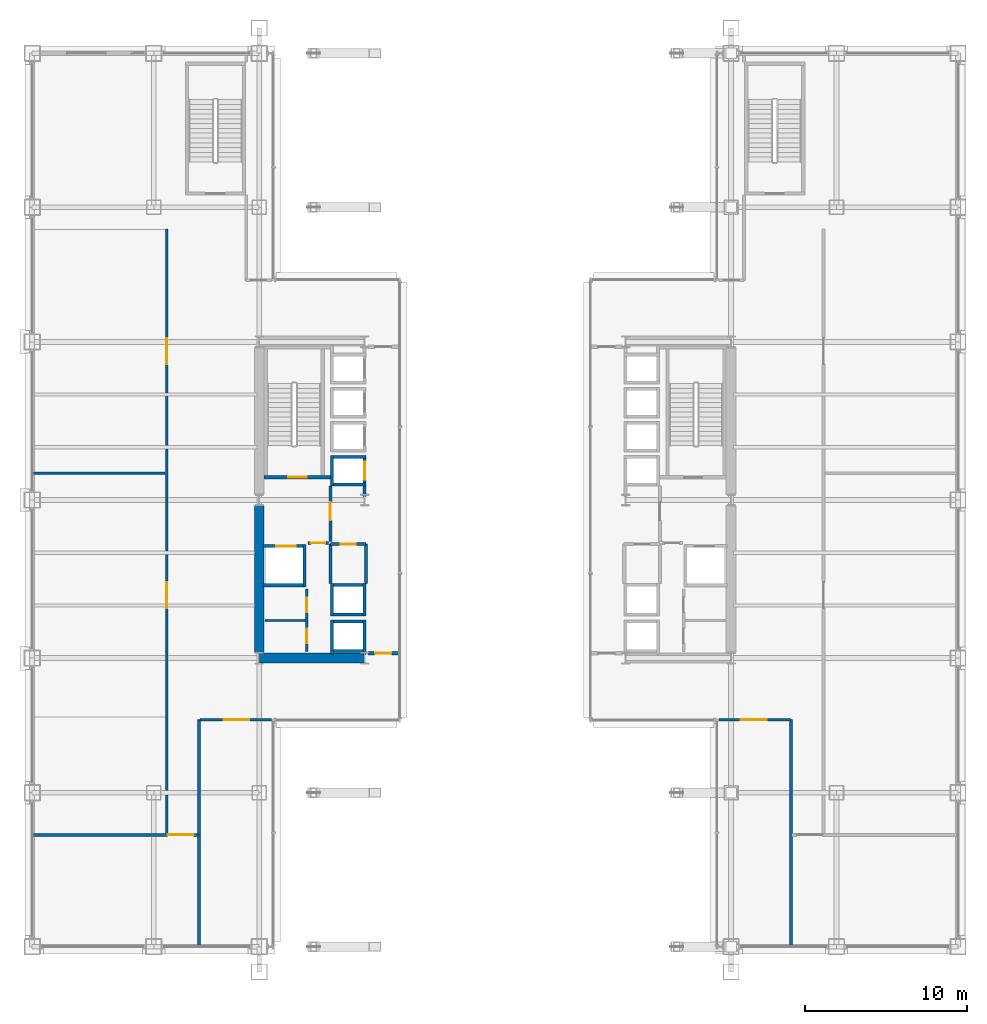
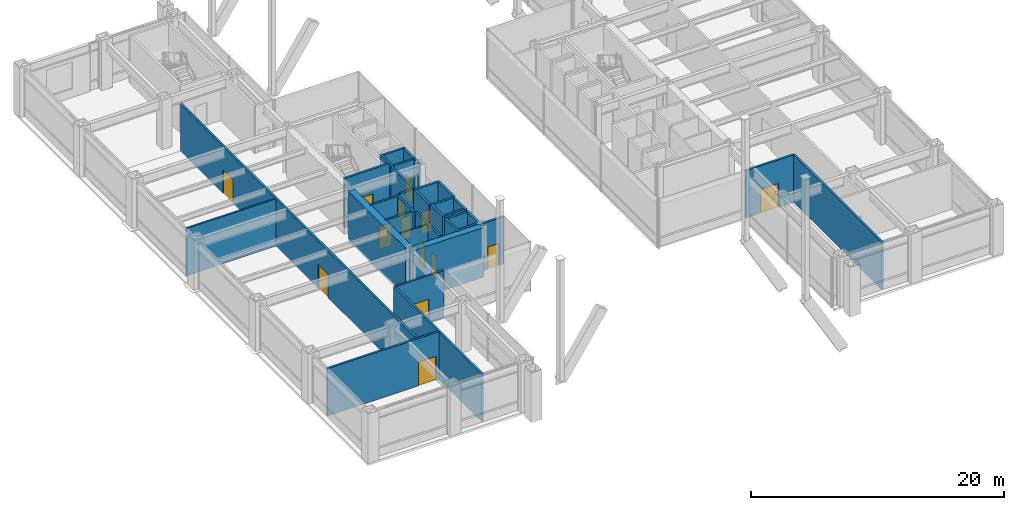
# One storey, part 35 of 40: 33 walls, 14 doors, 14 openings.
"""IFC4 building model written with IfcOpenShell, lengths in metres."""

from ifc_helpers import new_model, si_unit, direction, frame, frame_2d, origin, place, context, subcontext, project, spatial, rectangle, extrude, material, layer, layer_set, type_object, element, fill, save


model = new_model("IFC4")

# Units and contexts
model_context = context("Model", 3, precision=1e-05, world=origin(), true_north=direction((0.0, 1.0)))
body_context = subcontext(model_context, "Body", "Model", "MODEL_VIEW")
ifc_project = project(units=[si_unit("LENGTHUNIT", "METRE"), si_unit("AREAUNIT", "SQUARE_METRE"), si_unit("VOLUMEUNIT", "CUBIC_METRE"), si_unit("PLANEANGLEUNIT", "RADIAN"), si_unit("MASSUNIT", "GRAM", prefix="KILO")], contexts=[model_context])

# Site, building, storey
site_placement = place(None, origin())
site = spatial("IfcSite", under=ifc_project, at=site_placement, CompositionType="ELEMENT")
building_placement = place(site_placement, origin())
building = spatial("IfcBuilding", under=site, at=building_placement, Name="Brelmoor Portico Tower", CompositionType="ELEMENT")
storey_placement = place(building_placement, frame((0.0, 0.0, 4.800048828125)))
storey = spatial("IfcBuildingStorey", under=building, at=storey_placement, Name="L01", CompositionType="ELEMENT", Elevation=4.800048828125)

# Walls
ifc_material_1 = material(Name="Concrete C60", Category="concrete")
ifc_layer_1 = layer(ifc_material_1, 0.60009765625)
ifc_layer_set_1 = layer_set([ifc_layer_1], Name="Concrete C60")
wall_type_1 = type_object("IfcWallType", Name="WL-CORE-600", PredefinedType="SHEAR", material=ifc_layer_set_1)
wall_1_placement = place(storey_placement, frame((-14.530029296875, -9.75, -0.219970703125), z_axis=(0.0, 0.0, 1.0), x_axis=(1.0, 0.0, 0.0)))
element("IfcWall", 1, at=wall_1_placement, inside=storey, type_object=wall_type_1, Name="L01 WC South Shear Wall", PredefinedType="SHEAR", context=body_context, shape_type="SweptSolid", body=[
    extrude(rectangle(XDim=6.4599609375, YDim=0.60009765625, at=frame_2d((3.22998046875, 0.0))), origin(), (0.0, 0.0, 1.0), 4.7998046875),
])
wall_2_placement = place(storey_placement, frame((-14.550048828125, -9.39990234375, -0.219970703125), z_axis=(0.0, 0.0, 1.0), x_axis=(0.0, 1.0, 0.0)))
element("IfcWall", 2, at=wall_2_placement, inside=storey, type_object=wall_type_1, Name="L01 WC Outer South Shear Wall", PredefinedType="SHEAR", context=body_context, shape_type="SweptSolid", body=[
    extrude(rectangle(XDim=9.0498046875, YDim=0.60009765625, at=frame_2d((4.52490234375, 0.0))), origin(), (0.0, 0.0, 1.0), 4.7998046875),
])
ifc_material_2 = material(Name="Insulated Stud Suite Partition", Category="gypsum")
ifc_layer_2 = layer(ifc_material_2, 0.139892578125)
ifc_layer_set_2 = layer_set([ifc_layer_2], Name="Insulated Stud Suite Partition")
wall_type_2 = type_object("IfcWallType", Name="WL-PART-140", PredefinedType="PARTITIONING", material=ifc_layer_set_2)
wall_3_placement = place(storey_placement, frame((-11.699951171875, -7.425048828125, 0.0), z_axis=(0.0, 0.0, 1.0), x_axis=(-1.0, 0.0, 0.0)))
element("IfcWall", 3, at=wall_3_placement, inside=storey, type_object=wall_type_2, Name="L01 W Core WC Divider 1", PredefinedType="PARTITIONING", context=body_context, shape_type="SweptSolid", body=[
    extrude(rectangle(XDim=2.5, YDim=0.139892578125, at=frame_2d((1.25, 0.0))), origin(), (0.0, 0.0, 1.0), 4.579833984375),
])

# Wall, openings, doors
ifc_material_3 = material(Name="Twin-Frame Acoustic Partition", Category="gypsum")
ifc_layer_3 = layer(ifc_material_3, 0.159912109375)
ifc_layer_set_3 = layer_set([ifc_layer_3], Name="Twin-Frame Acoustic Partition")
wall_type_3 = type_object("IfcWallType", Name="WL-PART-160", PredefinedType="PARTITIONING", material=ifc_layer_set_3)
wall_4_placement = place(storey_placement, frame((-11.6201171875, -9.35009765625, 0.0), z_axis=(0.0, 0.0, 1.0), x_axis=(0.0, 1.0, 0.0)))
wall_4 = element("IfcWall", 4, at=wall_4_placement, inside=storey, type_object=wall_type_3, Name="L01 W Core Service Front Wall", PredefinedType="PARTITIONING", context=body_context, shape_type="SweptSolid", body=[
    extrude(rectangle(XDim=3.85009765625, YDim=0.159912109375, at=frame_2d((1.925048828125, 0.0))), origin(), (0.0, 0.0, 1.0), 4.579833984375),
])
opening_1_placement = place(wall_4_placement, frame((0.512451171875, 0.0, 0.0)))
opening_1 = element("IfcOpeningElement", 5, at=opening_1_placement, cuts=wall_4, Name="Opening D-IN1", PredefinedType="OPENING", context=body_context, shape_type="SweptSolid", body=[
    extrude(rectangle(XDim=0.89990234375, YDim=2.14990234375, at=frame_2d((0.449951171875, 1.074951171875))), frame((0.0, 0.08984375, 0.0), z_axis=(0.0, -1.0, 0.0), x_axis=(1.0, 0.0, 0.0)), (0.0, 0.0, 1.0), 0.179931640625),
])
opening_2_placement = place(wall_4_placement, frame((2.4375, 0.0, 0.0)))
opening_2 = element("IfcOpeningElement", 6, at=opening_2_placement, cuts=wall_4, Name="Opening D-IN1", PredefinedType="OPENING", context=body_context, shape_type="SweptSolid", body=[
    extrude(rectangle(XDim=0.89990234375, YDim=2.14990234375, at=frame_2d((0.449951171875, 1.074951171875))), frame((0.0, 0.08984375, 0.0), z_axis=(0.0, -1.0, 0.0), x_axis=(1.0, 0.0, 0.0)), (0.0, 0.0, 1.0), 0.179931640625),
])
ifc_material_4 = material(Name="Lacquered Timber Suite Door", Category="wood")
door_type_1 = type_object("IfcDoorType", Name="DR-INT-900", OperationType="NOTDEFINED", PredefinedType="DOOR", material=ifc_material_4)
door_1_placement = place(opening_1_placement, origin())
door_1 = element("IfcDoor", 7, at=door_1_placement, inside=storey, type_object=door_type_1, Name="D-0100 L01 W Accessible WC Door", OperationType="SINGLE_SWING_RIGHT", OverallHeight=2.14990234375, OverallWidth=0.89990234375, PredefinedType="DOOR", context=body_context, shape_type="SweptSolid", body=[
    extrude(rectangle(XDim=0.89990234375, YDim=2.14990234375, at=frame_2d((0.449951171875, 1.074951171875))), frame((0.0, 0.02490234375, 0.0), z_axis=(0.0, -1.0, 0.0), x_axis=(1.0, 0.0, 0.0)), (0.0, 0.0, 1.0), 0.050048828125),
])
fill(opening_1, door_1)
door_2_placement = place(opening_2_placement, origin())
door_2 = element("IfcDoor", 8, at=door_2_placement, inside=storey, type_object=door_type_1, Name="D-0101 L01 W Staff WC Door", OperationType="SINGLE_SWING_LEFT", OverallHeight=2.14990234375, OverallWidth=0.89990234375, PredefinedType="DOOR", context=body_context, shape_type="SweptSolid", body=[
    extrude(rectangle(XDim=0.89990234375, YDim=2.14990234375, at=frame_2d((0.449951171875, 1.074951171875))), frame((0.0, 0.02490234375, 0.0), z_axis=(0.0, -1.0, 0.0), x_axis=(1.0, 0.0, 0.0)), (0.0, 0.0, 1.0), 0.050048828125),
])
fill(opening_2, door_2)

# Wall
wall_5_placement = place(storey_placement, frame((-20.35009765625, 1.64990234375, 0.0), z_axis=(0.0, 0.0, 1.0), x_axis=(-1.0, 0.0, 0.0)))
element("IfcWall", 9, at=wall_5_placement, inside=storey, type_object=wall_type_3, Name="L01 W Wing Divider 1", PredefinedType="PARTITIONING", context=body_context, shape_type="SweptSolid", body=[
    extrude(rectangle(XDim=8.169921875, YDim=0.159912109375, at=frame_2d((4.0849609375, 0.0))), origin(), (0.0, 0.0, 1.0), 4.579833984375),
])

# Wall, openings, doors
ifc_material_5 = material(Name="Acoustic Corridor Fire Partition", Category="gypsum")
ifc_layer_4 = layer(ifc_material_5, 0.179931640625)
ifc_layer_set_4 = layer_set([ifc_layer_4], Name="Acoustic Corridor Fire Partition")
wall_type_4 = type_object("IfcWallType", Name="WL-PART-180", PredefinedType="PARTITIONING", material=ifc_layer_set_4)
wall_6_placement = place(storey_placement, frame((-20.25, -20.60009765625, 0.0), z_axis=(0.0, 0.0, 1.0), x_axis=(0.0, 1.0, 0.0)))
wall_6 = element("IfcWall", 10, at=wall_6_placement, inside=storey, type_object=wall_type_4, Name="L01 W Wing Concourse Wall", PredefinedType="PARTITIONING", context=body_context, shape_type="SweptSolid", body=[
    extrude(rectangle(XDim=37.300048828125, YDim=0.179931640625, at=frame_2d((18.64990234375, 0.0))), origin(), (0.0, 0.0, 1.0), 4.579833984375),
])
opening_3_placement = place(wall_6_placement, frame((13.925048828125, 0.0, 0.0)))
opening_3 = element("IfcOpeningElement", 11, at=opening_3_placement, cuts=wall_6, Name="Opening D-PB1", PredefinedType="OPENING", context=body_context, shape_type="SweptSolid", body=[
    extrude(rectangle(XDim=1.60009765625, YDim=2.300048828125, at=frame_2d((0.800048828125, 1.14990234375))), frame((0.0, 0.099853515625, 0.0), z_axis=(0.0, -1.0, 0.0), x_axis=(1.0, 0.0, 0.0)), (0.0, 0.0, 1.0), 0.199951171875),
])
opening_4_placement = place(wall_6_placement, frame((28.97509765625, 0.0, 0.0)))
opening_4 = element("IfcOpeningElement", 12, at=opening_4_placement, cuts=wall_6, Name="Opening D-PB1", PredefinedType="OPENING", context=body_context, shape_type="SweptSolid", body=[
    extrude(rectangle(XDim=1.60009765625, YDim=2.300048828125, at=frame_2d((0.800048828125, 1.14990234375))), frame((0.0, 0.099853515625, 0.0), z_axis=(0.0, -1.0, 0.0), x_axis=(1.0, 0.0, 0.0)), (0.0, 0.0, 1.0), 0.199951171875),
])
ifc_material_6 = material(Name="Double-Leaf Anodised Aluminium Hall Door", Category="aluminium")
door_type_2 = type_object("IfcDoorType", Name="DR-PUBLIC-1600", OperationType="NOTDEFINED", PredefinedType="DOOR", material=ifc_material_6)
door_3_placement = place(opening_3_placement, origin())
door_3 = element("IfcDoor", 13, at=door_3_placement, inside=storey, type_object=door_type_2, Name="D-0118 L01 W Public Exhibition Studio Door", OperationType="DOUBLE_DOOR_SINGLE_SWING", OverallHeight=2.300048828125, OverallWidth=1.60009765625, PredefinedType="DOOR", context=body_context, shape_type="SweptSolid", body=[
    extrude(rectangle(XDim=1.60009765625, YDim=2.300048828125, at=frame_2d((0.800048828125, 1.14990234375))), frame((0.0, 0.02490234375, 0.0), z_axis=(0.0, -1.0, 0.0), x_axis=(1.0, 0.0, 0.0)), (0.0, 0.0, 1.0), 0.050048828125),
])
fill(opening_3, door_3)
door_4_placement = place(opening_4_placement, origin())
door_4 = element("IfcDoor", 14, at=door_4_placement, inside=storey, type_object=door_type_2, Name="D-0119 L01 W Flagship Retail Arcade Door", OperationType="DOUBLE_DOOR_SINGLE_SWING", OverallHeight=2.300048828125, OverallWidth=1.60009765625, PredefinedType="DOOR", context=body_context, shape_type="SweptSolid", body=[
    extrude(rectangle(XDim=1.60009765625, YDim=2.300048828125, at=frame_2d((0.800048828125, 1.14990234375))), frame((0.0, 0.02490234375, 0.0), z_axis=(0.0, -1.0, 0.0), x_axis=(1.0, 0.0, 0.0)), (0.0, 0.0, 1.0), 0.050048828125),
])
fill(opening_4, door_4)

# Wall, opening, door
wall_7_placement = place(storey_placement, frame((-13.800048828125, -13.550048828125, 0.0), z_axis=(0.0, 0.0, 1.0), x_axis=(-1.0, 0.0, 0.0)))
wall_7 = element("IfcWall", 15, at=wall_7_placement, inside=storey, type_object=wall_type_4, Name="L01 W South Hall Wall", PredefinedType="PARTITIONING", context=body_context, shape_type="SweptSolid", body=[
    extrude(rectangle(XDim=4.39990234375, YDim=0.179931640625, at=frame_2d((2.199951171875, 0.0))), origin(), (0.0, 0.0, 1.0), 4.579833984375),
])
opening_5_placement = place(wall_7_placement, frame((1.35009765625, 0.0, 0.0)))
opening_5 = element("IfcOpeningElement", 16, at=opening_5_placement, cuts=wall_7, Name="Opening D-PB1", PredefinedType="OPENING", context=body_context, shape_type="SweptSolid", body=[
    extrude(rectangle(XDim=1.60009765625, YDim=2.300048828125, at=frame_2d((0.800048828125, 1.14990234375))), frame((0.0, 0.099853515625, 0.0), z_axis=(0.0, -1.0, 0.0), x_axis=(1.0, 0.0, 0.0)), (0.0, 0.0, 1.0), 0.199951171875),
])
door_5_placement = place(opening_5_placement, origin())
door_5 = element("IfcDoor", 17, at=door_5_placement, inside=storey, type_object=door_type_2, Name="D-0113 L01 W South Studio Door", OperationType="DOUBLE_DOOR_SINGLE_SWING", OverallHeight=2.300048828125, OverallWidth=1.60009765625, PredefinedType="DOOR", context=body_context, shape_type="SweptSolid", body=[
    extrude(rectangle(XDim=1.60009765625, YDim=2.300048828125, at=frame_2d((0.800048828125, 1.14990234375))), frame((0.0, 0.02490234375, 0.0), z_axis=(0.0, -1.0, 0.0), x_axis=(1.0, 0.0, 0.0)), (0.0, 0.0, 1.0), 0.050048828125),
])
fill(opening_5, door_5)

# Wall
wall_8_placement = place(storey_placement, frame((-18.25, -27.5, 0.0), z_axis=(0.0, 0.0, 1.0), x_axis=(0.0, 1.0, 0.0)))
element("IfcWall", 18, at=wall_8_placement, inside=storey, type_object=wall_type_4, Name="L01 W South Studio Side Wall", PredefinedType="PARTITIONING", context=body_context, shape_type="SweptSolid", body=[
    extrude(rectangle(XDim=13.949951171875, YDim=0.179931640625, at=frame_2d((6.97509765625, 0.0))), origin(), (0.0, 0.0, 1.0), 4.579833984375),
])

# Wall, opening, door
wall_9_placement = place(storey_placement, frame((-18.300048828125, -20.64990234375, 0.0), z_axis=(0.0, 0.0, 1.0), x_axis=(-1.0, 0.0, 0.0)))
wall_9 = element("IfcWall", 19, at=wall_9_placement, inside=storey, type_object=wall_type_4, Name="L01 W South Corner Concourse Wall", PredefinedType="PARTITIONING", context=body_context, shape_type="SweptSolid", body=[
    extrude(rectangle(XDim=10.219970703125, YDim=0.179931640625, at=frame_2d((5.10986328125, 0.0))), origin(), (0.0, 0.0, 1.0), 4.579833984375),
])
opening_6_placement = place(wall_9_placement, frame((0.300048828125, 0.0, 0.0)))
opening_6 = element("IfcOpeningElement", 20, at=opening_6_placement, cuts=wall_9, Name="Opening D-PB1", PredefinedType="OPENING", context=body_context, shape_type="SweptSolid", body=[
    extrude(rectangle(XDim=1.60009765625, YDim=2.300048828125, at=frame_2d((0.800048828125, 1.14990234375))), frame((0.0, 0.099853515625, 0.0), z_axis=(0.0, -1.0, 0.0), x_axis=(1.0, 0.0, 0.0)), (0.0, 0.0, 1.0), 0.199951171875),
])
door_6_placement = place(opening_6_placement, origin())
door_6 = element("IfcDoor", 21, at=door_6_placement, inside=storey, type_object=door_type_2, Name="D-0115 L01 W South Corner Retail Door", OperationType="DOUBLE_DOOR_SINGLE_SWING", OverallHeight=2.300048828125, OverallWidth=1.60009765625, PredefinedType="DOOR", context=body_context, shape_type="SweptSolid", body=[
    extrude(rectangle(XDim=1.60009765625, YDim=2.300048828125, at=frame_2d((0.800048828125, 1.14990234375))), frame((0.0, 0.02490234375, 0.0), z_axis=(0.0, -1.0, 0.0), x_axis=(1.0, 0.0, 0.0)), (0.0, 0.0, 1.0), 0.050048828125),
])
fill(opening_6, door_6)

wall_10_placement = place(storey_placement, frame((13.800048828125, -13.550048828125, 0.0), z_axis=(0.0, 0.0, 1.0), x_axis=(1.0, 0.0, 0.0)))
wall_10 = element("IfcWall", 22, at=wall_10_placement, inside=storey, type_object=wall_type_4, Name="L01 E South Hall Wall", PredefinedType="PARTITIONING", context=body_context, shape_type="SweptSolid", body=[
    extrude(rectangle(XDim=4.39990234375, YDim=0.179931640625, at=frame_2d((2.199951171875, 0.0))), origin(), (0.0, 0.0, 1.0), 4.579833984375),
])
opening_7_placement = place(wall_10_placement, frame((1.35009765625, 0.0, 0.0)))
opening_7 = element("IfcOpeningElement", 23, at=opening_7_placement, cuts=wall_10, Name="Opening D-PB1", PredefinedType="OPENING", context=body_context, shape_type="SweptSolid", body=[
    extrude(rectangle(XDim=1.60009765625, YDim=2.300048828125, at=frame_2d((0.800048828125, 1.14990234375))), frame((0.0, 0.099853515625, 0.0), z_axis=(0.0, -1.0, 0.0), x_axis=(1.0, 0.0, 0.0)), (0.0, 0.0, 1.0), 0.199951171875),
])
door_7_placement = place(opening_7_placement, origin())
door_7 = element("IfcDoor", 24, at=door_7_placement, inside=storey, type_object=door_type_2, Name="D-0112 L01 E South Studio Door", OperationType="DOUBLE_DOOR_SINGLE_SWING", OverallHeight=2.300048828125, OverallWidth=1.60009765625, PredefinedType="DOOR", context=body_context, shape_type="SweptSolid", body=[
    extrude(rectangle(XDim=1.60009765625, YDim=2.300048828125, at=frame_2d((0.800048828125, 1.14990234375))), frame((0.0, 0.02490234375, 0.0), z_axis=(0.0, -1.0, 0.0), x_axis=(1.0, 0.0, 0.0)), (0.0, 0.0, 1.0), 0.050048828125),
])
fill(opening_7, door_7)

# Wall
wall_11_placement = place(storey_placement, frame((18.25, -27.5, 0.0), z_axis=(0.0, 0.0, 1.0), x_axis=(0.0, 1.0, 0.0)))
element("IfcWall", 25, at=wall_11_placement, inside=storey, type_object=wall_type_4, Name="L01 E South Studio Side Wall", PredefinedType="PARTITIONING", context=body_context, shape_type="SweptSolid", body=[
    extrude(rectangle(XDim=13.949951171875, YDim=0.179931640625, at=frame_2d((6.97509765625, 0.0))), origin(), (0.0, 0.0, 1.0), 4.579833984375),
])

# Wall, opening, door
ifc_material_7 = material(Name="Double-Stud Gypsum Fire Partition", Category="gypsum")
ifc_layer_5 = layer(ifc_material_7, 0.199951171875)
ifc_layer_set_5 = layer_set([ifc_layer_5], Name="Double-Stud Gypsum Fire Partition")
wall_type_5 = type_object("IfcWallType", Name="WL-PART-200", PredefinedType="PARTITIONING", material=ifc_layer_set_5)
wall_12_placement = place(storey_placement, frame((-10.159912109375, -2.550048828125, 0.0), z_axis=(0.0, 0.0, 1.0), x_axis=(0.0, 1.0, 0.0)))
wall_12 = element("IfcWall", 26, at=wall_12_placement, inside=storey, type_object=wall_type_5, Name="L01 W Firefighting Lobby Wall", PredefinedType="PARTITIONING", context=body_context, shape_type="SweptSolid", body=[
    extrude(rectangle(XDim=3.400146484375, YDim=0.199951171875, at=frame_2d((1.7001953125, 0.0))), origin(), (0.0, 0.0, 1.0), 4.579833984375),
])
opening_8_placement = place(wall_12_placement, frame((1.300048828125, 0.0, 0.0)))
opening_8 = element("IfcOpeningElement", 27, at=opening_8_placement, cuts=wall_12, Name="Opening D-FR1", PredefinedType="OPENING", context=body_context, shape_type="SweptSolid", body=[
    extrude(rectangle(XDim=1.10009765625, YDim=2.14990234375, at=frame_2d((0.550048828125, 1.074951171875))), frame((0.0, 0.10986328125, 0.0), z_axis=(0.0, -1.0, 0.0), x_axis=(1.0, 0.0, 0.0)), (0.0, 0.0, 1.0), 0.219970703125),
])
ifc_material_8 = material(Name="Painted Galvanised Steel Fire Door", Category="steel")
door_type_3 = type_object("IfcDoorType", Name="DR-FIRE-1100", OperationType="NOTDEFINED", PredefinedType="DOOR", material=ifc_material_8)
door_8_placement = place(opening_8_placement, origin())
door_8 = element("IfcDoor", 28, at=door_8_placement, inside=storey, type_object=door_type_3, Name="D-0105 L01 W Firefighting Lobby Door", OperationType="SINGLE_SWING_LEFT", OverallHeight=2.14990234375, OverallWidth=1.10009765625, PredefinedType="DOOR", context=body_context, shape_type="SweptSolid", body=[
    extrude(rectangle(XDim=1.10009765625, YDim=2.14990234375, at=frame_2d((0.550048828125, 1.074951171875))), frame((0.0, 0.02490234375, 0.0), z_axis=(0.0, -1.0, 0.0), x_axis=(1.0, 0.0, 0.0)), (0.0, 0.0, 1.0), 0.050048828125),
])
fill(opening_8, door_8)

wall_13_placement = place(storey_placement, frame((-10.280029296875, -2.64990234375, 0.0), z_axis=(0.0, 0.0, 1.0), x_axis=(-1.0, 0.0, 0.0)))
wall_13 = element("IfcWall", 29, at=wall_13_placement, inside=storey, type_object=wall_type_5, Name="L01 W Firefighting Lobby South Wall", PredefinedType="PARTITIONING", context=body_context, shape_type="SweptSolid", body=[
    extrude(rectangle(XDim=1.27001953125, YDim=0.199951171875, at=frame_2d((0.635009765625, 0.0))), origin(), (0.0, 0.0, 1.0), 4.579833984375),
])
opening_9_placement = place(wall_13_placement, frame((0.18505859375, 0.0, 0.0)))
opening_9 = element("IfcOpeningElement", 30, at=opening_9_placement, cuts=wall_13, Name="Opening D-IN1", PredefinedType="OPENING", context=body_context, shape_type="SweptSolid", body=[
    extrude(rectangle(XDim=0.89990234375, YDim=2.14990234375, at=frame_2d((0.449951171875, 1.074951171875))), frame((0.0, 0.10986328125, 0.0), z_axis=(0.0, -1.0, 0.0), x_axis=(1.0, 0.0, 0.0)), (0.0, 0.0, 1.0), 0.219970703125),
])
door_9_placement = place(opening_9_placement, origin())
door_9 = element("IfcDoor", 31, at=door_9_placement, inside=storey, type_object=door_type_1, Name="D-0099 L01 W Core Service Vestibule Door", OperationType="SINGLE_SWING_RIGHT", OverallHeight=2.14990234375, OverallWidth=0.89990234375, PredefinedType="DOOR", context=body_context, shape_type="SweptSolid", body=[
    extrude(rectangle(XDim=0.89990234375, YDim=2.14990234375, at=frame_2d((0.449951171875, 1.074951171875))), frame((0.0, 0.02490234375, 0.0), z_axis=(0.0, -1.0, 0.0), x_axis=(1.0, 0.0, 0.0)), (0.0, 0.0, 1.0), 0.050048828125),
])
fill(opening_9, door_9)

wall_14_placement = place(storey_placement, frame((-7.9599609375, -2.719970703125, 0.0), z_axis=(0.0, 0.0, 1.0), x_axis=(-1.0, 0.0, 0.0)))
wall_14 = element("IfcWall", 32, at=wall_14_placement, inside=storey, type_object=wall_type_5, Name="L01 W Electrical Switchgear Closet Wall", PredefinedType="PARTITIONING", context=body_context, shape_type="SweptSolid", body=[
    extrude(rectangle(XDim=2.199951171875, YDim=0.199951171875, at=frame_2d((1.10009765625, 0.0))), origin(), (0.0, 0.0, 1.0), 4.579833984375),
])
opening_10_placement = place(wall_14_placement, frame((0.6201171875, 0.0, 0.0)))
opening_10 = element("IfcOpeningElement", 33, at=opening_10_placement, cuts=wall_14, Name="Opening D-FR4", PredefinedType="OPENING", context=body_context, shape_type="SweptSolid", body=[
    extrude(rectangle(XDim=0.949951171875, YDim=2.10009765625, at=frame_2d((0.47509765625, 1.050048828125))), frame((0.0, 0.10986328125, 0.0), z_axis=(0.0, -1.0, 0.0), x_axis=(1.0, 0.0, 0.0)), (0.0, 0.0, 1.0), 0.219970703125),
])
ifc_material_9 = material(Name="Painted Galvanised Steel Riser Door", Category="steel")
door_type_4 = type_object("IfcDoorType", Name="DR-FIRE-950", OperationType="NOTDEFINED", PredefinedType="DOOR", material=ifc_material_9)
door_10_placement = place(opening_10_placement, origin())
door_10 = element("IfcDoor", 34, at=door_10_placement, inside=storey, type_object=door_type_4, Name="D-0103 L01 W Electrical Switchgear Closet Door", OperationType="SINGLE_SWING_LEFT", OverallHeight=2.10009765625, OverallWidth=0.949951171875, PredefinedType="DOOR", context=body_context, shape_type="SweptSolid", body=[
    extrude(rectangle(XDim=0.949951171875, YDim=2.10009765625, at=frame_2d((0.47509765625, 1.050048828125))), frame((0.0, 0.02490234375, 0.0), z_axis=(0.0, -1.0, 0.0), x_axis=(1.0, 0.0, 0.0)), (0.0, 0.0, 1.0), 0.050048828125),
])
fill(opening_10, door_10)

# Walls
for number, where, z_axis, x_axis, name in (
    (35, (-7.9599609375, -5.159912109375, 0.0), (0.0, 0.0, 1.0), (0.0, 1.0, 0.0), "L01 W Electrical Switchgear Closet Inner Wall"),
    (36, (-10.159912109375, -5.159912109375, 0.0), (0.0, 0.0, 1.0), (0.0, 1.0, 0.0), "L01 W Electrical Switchgear Closet Outer Wall"),
):
    element("IfcWall", number, at=place(storey_placement, frame(where, z_axis=z_axis, x_axis=x_axis)), inside=storey, type_object=wall_type_5, Name=name, PredefinedType="PARTITIONING", context=body_context, shape_type="SweptSolid", body=[
        extrude(rectangle(XDim=2.43994140625, YDim=0.199951171875, at=frame_2d((1.219970703125, 0.0))), origin(), (0.0, 0.0, 1.0), 4.579833984375),
    ])

# Wall, opening, door
wall_15_placement = place(storey_placement, frame((-7.85009765625, -9.449951171875, 0.0), z_axis=(0.0, 0.0, 1.0), x_axis=(1.0, 0.0, 0.0)))
wall_15 = element("IfcWall", 37, at=wall_15_placement, inside=storey, type_object=wall_type_5, Name="L01 W Pier Lift Lobby South Wall", PredefinedType="PARTITIONING", context=body_context, shape_type="SweptSolid", body=[
    extrude(rectangle(XDim=1.93017578125, YDim=0.199951171875, at=frame_2d((0.965087890625, 0.0))), origin(), (0.0, 0.0, 1.0), 4.579833984375),
])
opening_11_placement = place(wall_15_placement, frame((0.449951171875, 0.0, 0.0)))
opening_11 = element("IfcOpeningElement", 38, at=opening_11_placement, cuts=wall_15, Name="Opening D-FR2", PredefinedType="OPENING", context=body_context, shape_type="SweptSolid", body=[
    extrude(rectangle(XDim=1.0, YDim=2.14990234375, at=frame_2d((0.5, 1.074951171875))), frame((0.0, 0.10986328125, 0.0), z_axis=(0.0, -1.0, 0.0), x_axis=(1.0, 0.0, 0.0)), (0.0, 0.0, 1.0), 0.219970703125),
])
door_type_5 = type_object("IfcDoorType", Name="DR-FIRE-1000", OperationType="NOTDEFINED", PredefinedType="DOOR", material=ifc_material_8)
door_11_placement = place(opening_11_placement, origin())
door_11 = element("IfcDoor", 39, at=door_11_placement, inside=storey, type_object=door_type_5, Name="D-0109 L01 W Pier Lift Lobby South Door", OperationType="SINGLE_SWING_LEFT", OverallHeight=2.14990234375, OverallWidth=1.0, PredefinedType="DOOR", context=body_context, shape_type="SweptSolid", body=[
    extrude(rectangle(XDim=1.0, YDim=2.14990234375, at=frame_2d((0.5, 1.074951171875))), frame((0.0, 0.02490234375, 0.0), z_axis=(0.0, -1.0, 0.0), x_axis=(1.0, 0.0, 0.0)), (0.0, 0.0, 1.0), 0.050048828125),
])
fill(opening_11, door_11)

ifc_material_10 = material(Name="Precast Concrete C40", Category="concrete")
ifc_layer_6 = layer(ifc_material_10, 0.18994140625)
ifc_layer_set_6 = layer_set([ifc_layer_6], Name="Precast Concrete C40")
wall_type_6 = type_object("IfcWallType", Name="WL-SHAFT-180", PredefinedType="SOLIDWALL", material=ifc_layer_set_6)
wall_16_placement = place(storey_placement, frame((-8.044921875, 0.2099609375, -0.219970703125), z_axis=(0.0, 0.0, 1.0), x_axis=(0.0, 1.0, 0.0)))
wall_16 = element("IfcWall", 40, at=wall_16_placement, inside=storey, type_object=wall_type_6, Name="L01 Lift PL1 Hoistway Front Wall", PredefinedType="SOLIDWALL", context=body_context, shape_type="SweptSolid", body=[
    extrude(rectangle(XDim=2.5400390625, YDim=0.18994140625, at=frame_2d((1.27001953125, 0.0))), origin(), (0.0, 0.0, 1.0), 4.7998046875),
])
opening_12_placement = place(wall_16_placement, frame((1.0400390625, 0.0, 0.219970703125)))
opening_12 = element("IfcOpeningElement", 41, at=opening_12_placement, cuts=wall_16, Name="Opening LD-01", PredefinedType="OPENING", context=body_context, shape_type="SweptSolid", body=[
    extrude(rectangle(XDim=1.10009765625, YDim=2.199951171875, at=frame_2d((0.550048828125, 1.10009765625))), frame((0.0, 0.10498046875, 0.0), z_axis=(0.0, -1.0, 0.0), x_axis=(1.0, 0.0, 0.0)), (0.0, 0.0, 1.0), 0.2099609375),
])
ifc_material_11 = material(Name="Brushed Stainless Steel Sliding Lift Door", Category="steel")
door_type_6 = type_object("IfcDoorType", Name="DR-LIFT-1100", OperationType="NOTDEFINED", PredefinedType="DOOR", material=ifc_material_11)
door_12_placement = place(opening_12_placement, origin())
door_12 = element("IfcDoor", 42, at=door_12_placement, inside=storey, type_object=door_type_6, Name="D-0126 L01 Lift PL1 Sliding Landing Door", OperationType="SLIDING_TO_LEFT", OverallHeight=2.199951171875, OverallWidth=1.10009765625, PredefinedType="DOOR", context=body_context, shape_type="SweptSolid", body=[
    extrude(rectangle(XDim=1.10009765625, YDim=2.199951171875, at=frame_2d((0.550048828125, 1.10009765625))), frame((0.0, 0.02490234375, 0.0), z_axis=(0.0, -1.0, 0.0), x_axis=(1.0, 0.0, 0.0)), (0.0, 0.0, 1.0), 0.050048828125),
])
fill(opening_12, door_12)

# Walls
wall_17_placement = place(storey_placement, frame((-10.054931640625, 0.85009765625, -0.219970703125), z_axis=(0.0, 0.0, 1.0), x_axis=(0.0, 1.0, 0.0)))
element("IfcWall", 43, at=wall_17_placement, inside=storey, type_object=wall_type_6, Name="L01 Lift PL1 Hoistway Back Wall", PredefinedType="SOLIDWALL", context=body_context, shape_type="SweptSolid", body=[
    extrude(rectangle(XDim=1.89990234375, YDim=0.18994140625, at=frame_2d((0.949951171875, 0.0))), origin(), (0.0, 0.0, 1.0), 4.7998046875),
])
for number, where, z_axis, x_axis, name in (
    (44, (-10.14990234375, 2.655029296875, -0.219970703125), (0.0, 0.0, 1.0), (1.0, 0.0, 0.0), "L01 Lift PL1 Hoistway North Wall"),
    (45, (-10.14990234375, 0.945068359375, -0.219970703125), (0.0, 0.0, 1.0), (1.0, 0.0, 0.0), "L01 Lift PL1 Hoistway South Wall"),
):
    element("IfcWall", number, at=place(storey_placement, frame(where, z_axis=z_axis, x_axis=x_axis)), inside=storey, type_object=wall_type_6, Name=name, PredefinedType="SOLIDWALL", context=body_context, shape_type="SweptSolid", body=[
        extrude(rectangle(XDim=2.199951171875, YDim=0.18994140625, at=frame_2d((1.10009765625, 0.0))), origin(), (0.0, 0.0, 1.0), 4.7998046875),
    ])
for number, where, z_axis, x_axis, name in (
    (46, (-8.044921875, -9.52001953125, -0.219970703125), (0.0, 0.0, 1.0), (0.0, 1.0, 0.0), "L01 Lift PH1 Hoistway Front Wall"),
    (47, (-10.054931640625, -9.52001953125, -0.219970703125), (0.0, 0.0, 1.0), (0.0, 1.0, 0.0), "L01 Lift PH1 Hoistway Back Wall"),
):
    element("IfcWall", number, at=place(storey_placement, frame(where, z_axis=z_axis, x_axis=x_axis)), inside=storey, type_object=wall_type_6, Name=name, PredefinedType="SOLIDWALL", context=body_context, shape_type="SweptSolid", body=[
        extrude(rectangle(XDim=2.1201171875, YDim=0.18994140625, at=frame_2d((1.06005859375, 0.0))), origin(), (0.0, 0.0, 1.0), 4.7998046875),
    ])
for number, where, z_axis, x_axis, name in (
    (48, (-10.14990234375, -7.4951171875, -0.219970703125), (0.0, 0.0, 1.0), (1.0, 0.0, 0.0), "L01 Lift PH1 Hoistway North Wall"),
    (49, (-10.14990234375, -9.304931640625, -0.219970703125), (0.0, 0.0, 1.0), (1.0, 0.0, 0.0), "L01 Lift PH1 Hoistway South Wall"),
):
    element("IfcWall", number, at=place(storey_placement, frame(where, z_axis=z_axis, x_axis=x_axis)), inside=storey, type_object=wall_type_6, Name=name, PredefinedType="SOLIDWALL", context=body_context, shape_type="SweptSolid", body=[
        extrude(rectangle(XDim=2.199951171875, YDim=0.18994140625, at=frame_2d((1.10009765625, 0.0))), origin(), (0.0, 0.0, 1.0), 4.7998046875),
    ])
for number, where, z_axis, x_axis, name in (
    (50, (-8.044921875, -7.14990234375, -0.219970703125), (0.0, 0.0, 1.0), (0.0, 1.0, 0.0), "L01 Lift PH2 Hoistway Front Wall"),
    (51, (-10.054931640625, -7.14990234375, -0.219970703125), (0.0, 0.0, 1.0), (0.0, 1.0, 0.0), "L01 Lift PH2 Hoistway Back Wall"),
):
    element("IfcWall", number, at=place(storey_placement, frame(where, z_axis=z_axis, x_axis=x_axis)), inside=storey, type_object=wall_type_6, Name=name, PredefinedType="SOLIDWALL", context=body_context, shape_type="SweptSolid", body=[
        extrude(rectangle(XDim=2.0, YDim=0.18994140625, at=frame_2d((1.0, 0.0))), origin(), (0.0, 0.0, 1.0), 4.7998046875),
    ])
for number, where, z_axis, x_axis, name in (
    (52, (-10.14990234375, -5.2451171875, -0.219970703125), (0.0, 0.0, 1.0), (1.0, 0.0, 0.0), "L01 Lift PH2 Hoistway North Wall"),
    (53, (-10.14990234375, -7.054931640625, -0.219970703125), (0.0, 0.0, 1.0), (1.0, 0.0, 0.0), "L01 Lift PH2 Hoistway South Wall"),
):
    element("IfcWall", number, at=place(storey_placement, frame(where, z_axis=z_axis, x_axis=x_axis)), inside=storey, type_object=wall_type_6, Name=name, PredefinedType="SOLIDWALL", context=body_context, shape_type="SweptSolid", body=[
        extrude(rectangle(XDim=2.199951171875, YDim=0.18994140625, at=frame_2d((1.10009765625, 0.0))), origin(), (0.0, 0.0, 1.0), 4.7998046875),
    ])

# Wall, opening, door
wall_18_placement = place(storey_placement, frame((-14.330078125, -2.844970703125, -0.219970703125), z_axis=(0.0, 0.0, 1.0), x_axis=(1.0, 0.0, 0.0)))
wall_18 = element("IfcWall", 54, at=wall_18_placement, inside=storey, type_object=wall_type_6, Name="L01 Lift FF1 Hoistway Front Wall", PredefinedType="SOLIDWALL", context=body_context, shape_type="SweptSolid", body=[
    extrude(rectangle(XDim=2.68017578125, YDim=0.18994140625, at=frame_2d((1.340087890625, 0.0))), origin(), (0.0, 0.0, 1.0), 4.7998046875),
])
opening_13_placement = place(wall_18_placement, frame((0.830078125, 0.0, 0.219970703125)))
opening_13 = element("IfcOpeningElement", 55, at=opening_13_placement, cuts=wall_18, Name="Opening LD-02", PredefinedType="OPENING", context=body_context, shape_type="SweptSolid", body=[
    extrude(rectangle(XDim=1.199951171875, YDim=2.199951171875, at=frame_2d((0.60009765625, 1.10009765625))), frame((0.0, 0.10498046875, 0.0), z_axis=(0.0, -1.0, 0.0), x_axis=(1.0, 0.0, 0.0)), (0.0, 0.0, 1.0), 0.2099609375),
])
ifc_material_12 = material(Name="Brushed Stainless Steel Firefighting Lift Door", Category="steel")
door_type_7 = type_object("IfcDoorType", Name="DR-LIFT-1200", OperationType="NOTDEFINED", PredefinedType="DOOR", material=ifc_material_12)
door_13_placement = place(opening_13_placement, origin())
door_13 = element("IfcDoor", 56, at=door_13_placement, inside=storey, type_object=door_type_7, Name="D-0124 L01 Lift FF1 Sliding Landing Door", OperationType="SLIDING_TO_LEFT", OverallHeight=2.199951171875, OverallWidth=1.199951171875, PredefinedType="DOOR", context=body_context, shape_type="SweptSolid", body=[
    extrude(rectangle(XDim=1.199951171875, YDim=2.199951171875, at=frame_2d((0.60009765625, 1.10009765625))), frame((0.0, 0.02490234375, 0.0), z_axis=(0.0, -1.0, 0.0), x_axis=(1.0, 0.0, 0.0)), (0.0, 0.0, 1.0), 0.050048828125),
])
fill(opening_13, door_13)

# Walls
wall_19_placement = place(storey_placement, frame((-14.330078125, -5.2548828125, -0.219970703125), z_axis=(0.0, 0.0, 1.0), x_axis=(1.0, 0.0, 0.0)))
element("IfcWall", 57, at=wall_19_placement, inside=storey, type_object=wall_type_6, Name="L01 Firefighting Lift FF1 South Wall", PredefinedType="SOLIDWALL", context=body_context, shape_type="SweptSolid", body=[
    extrude(rectangle(XDim=2.68017578125, YDim=0.18994140625, at=frame_2d((1.340087890625, 0.0))), origin(), (0.0, 0.0, 1.0), 4.7998046875),
])
wall_20_placement = place(storey_placement, frame((-11.7451171875, -5.35009765625, -0.219970703125), z_axis=(0.0, 0.0, 1.0), x_axis=(0.0, 1.0, 0.0)))
element("IfcWall", 58, at=wall_20_placement, inside=storey, type_object=wall_type_6, Name="L01 Firefighting Lift FF1 Inner Wall", PredefinedType="SOLIDWALL", context=body_context, shape_type="SweptSolid", body=[
    extrude(rectangle(XDim=2.60009765625, YDim=0.18994140625, at=frame_2d((1.300048828125, 0.0))), origin(), (0.0, 0.0, 1.0), 4.7998046875),
])

# Wall, opening, door
ifc_material_13 = material(Name="Concrete C40", Category="concrete")
ifc_layer_7 = layer(ifc_material_13, 0.199951171875)
ifc_layer_set_7 = layer_set([ifc_layer_7], Name="Concrete C40")
wall_type_7 = type_object("IfcWallType", Name="WL-SHAFT-RC200", PredefinedType="SOLIDWALL", material=ifc_layer_set_7)
wall_21_placement = place(storey_placement, frame((-14.25, 1.39990234375, -0.219970703125), z_axis=(0.0, 0.0, 1.0), x_axis=(1.0, 0.0, 0.0)))
wall_21 = element("IfcWall", 59, at=wall_21_placement, inside=storey, type_object=wall_type_7, Name="L01 ST-W Structural Stair Wall S", PredefinedType="SOLIDWALL", context=body_context, shape_type="SweptSolid", body=[
    extrude(rectangle(XDim=4.10009765625, YDim=0.199951171875, at=frame_2d((2.050048828125, 0.0))), origin(), (0.0, 0.0, 1.0), 4.7998046875),
])
opening_14_placement = place(wall_21_placement, frame((1.5, 0.0, 0.219970703125)))
opening_14 = element("IfcOpeningElement", 60, at=opening_14_placement, cuts=wall_21, Name="Opening D-ST1", PredefinedType="OPENING", context=body_context, shape_type="SweptSolid", body=[
    extrude(rectangle(XDim=1.1201171875, YDim=2.179931640625, at=frame_2d((0.56005859375, 1.08984375))), frame((0.0, 0.10986328125, 0.0), z_axis=(0.0, -1.0, 0.0), x_axis=(1.0, 0.0, 0.0)), (0.0, 0.0, 1.0), 0.219970703125),
])
door_type_8 = type_object("IfcDoorType", Name="DR-STAIR-1100", OperationType="NOTDEFINED", PredefinedType="DOOR", material=ifc_material_8)
door_14_placement = place(opening_14_placement, origin())
door_14 = element("IfcDoor", 61, at=door_14_placement, inside=storey, type_object=door_type_8, Name="D-0123 L01 ST-W Protected Exit Stair Door", OperationType="SINGLE_SWING_LEFT", OverallHeight=2.179931640625, OverallWidth=1.1201171875, PredefinedType="DOOR", context=body_context, shape_type="SweptSolid", body=[
    extrude(rectangle(XDim=1.1201171875, YDim=2.179931640625, at=frame_2d((0.56005859375, 1.08984375))), frame((0.0, 0.02490234375, 0.0), z_axis=(0.0, -1.0, 0.0), x_axis=(1.0, 0.0, 0.0)), (0.0, 0.0, 1.0), 0.050048828125),
])
fill(opening_14, door_14)

save(model, "model.ifc")
